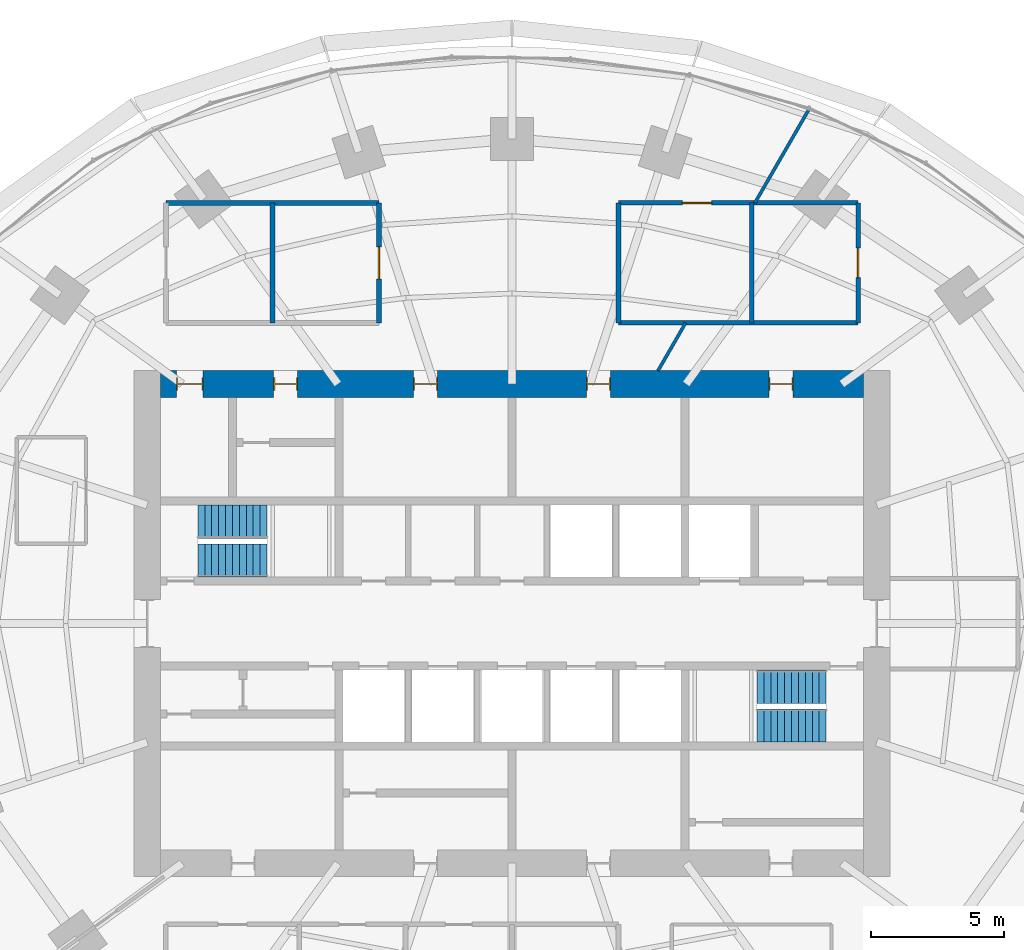
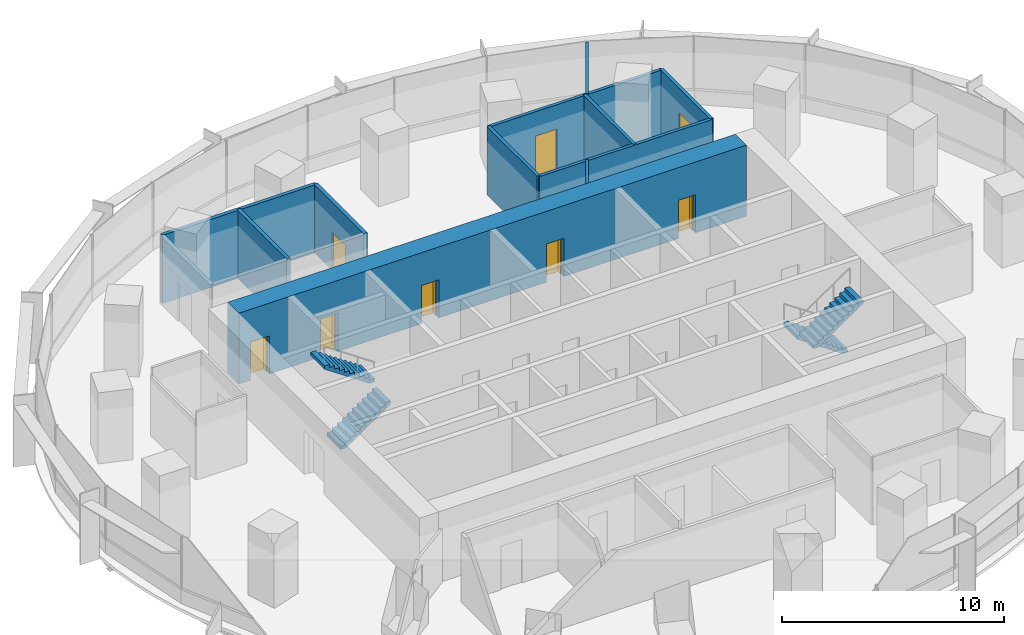
# One storey, part 12 of 14: 11 walls, 8 doors, 4 stair flights, 8 openings, 2 elements without a shape of their own.
"""IFC4 building model written with IfcOpenShell, lengths in metres."""

from ifc_helpers import new_model, si_unit, direction, frame, frame_2d, origin, place, context, subcontext, project, spatial, polyline, rectangle, outline, extrude, material, layer, layer_set, type_object, element, fill, aggregate, save


model = new_model("IFC4")

# Units and contexts
model_context = context("Model", 3, precision=1e-05, world=origin(), true_north=direction((0.0, 1.0)))
body_context = subcontext(model_context, "Body", "Model", "MODEL_VIEW")
ifc_project = project(units=[si_unit("LENGTHUNIT", "METRE"), si_unit("AREAUNIT", "SQUARE_METRE"), si_unit("VOLUMEUNIT", "CUBIC_METRE"), si_unit("PLANEANGLEUNIT", "RADIAN"), si_unit("MASSUNIT", "GRAM", prefix="KILO")], contexts=[model_context])

# Site, building, storey
site_placement = place(None, origin())
site = spatial("IfcSite", under=ifc_project, at=site_placement, CompositionType="ELEMENT")
building_placement = place(site_placement, origin())
building = spatial("IfcBuilding", under=site, at=building_placement, Name="Marramba Exchange Tower", CompositionType="ELEMENT")
storey_placement = place(building_placement, frame((0.0, 0.0, 139.199951171875)))
storey = spatial("IfcBuildingStorey", under=building, at=storey_placement, Name="L33", CompositionType="ELEMENT", Elevation=139.199951171875)

# Wall, opening, door
ifc_material_1 = material(Name="Plasterboard on staggered double steel studs, acoustic insulation", Category="steel")
ifc_layer_1 = layer(ifc_material_1, 0.169921875)
ifc_layer_set_1 = layer_set([ifc_layer_1], Name="Acoustic partition 170")
wall_type_1 = type_object("IfcWallType", Name="Acoustic partition 170", PredefinedType="PARTITIONING", material=ifc_layer_set_1)
wall_1_placement = place(storey_placement, frame((13.0, 11.300048828125, 0.0), z_axis=(0.0, 0.0, 1.0), x_axis=(0.0, 1.0, 0.0)))
wall_1 = element("IfcWall", 1, at=wall_1_placement, inside=storey, type_object=wall_type_1, Name="Acoustic partition L33 16", PredefinedType="PARTITIONING", context=body_context, shape_type="SweptSolid", body=[
    extrude(rectangle(XDim=4.5, YDim=0.169921875, at=frame_2d((2.25, 0.0))), origin(), (0.0, 0.0, 1.0), 3.739990234375),
])
opening_1_placement = place(wall_1_placement, frame((1.699951171875, 0.0, 0.0)))
opening_1 = element("IfcOpeningElement", 2, at=opening_1_placement, cuts=wall_1, Name="Opening D15", PredefinedType="OPENING", context=body_context, shape_type="SweptSolid", body=[
    extrude(rectangle(XDim=1.10009765625, YDim=2.39990234375, at=frame_2d((0.550048828125, 1.199951171875))), frame((0.0, 0.094970703125, 0.0), z_axis=(0.0, -1.0, 0.0), x_axis=(1.0, 0.0, 0.0)), (0.0, 0.0, 1.0), 0.18994140625),
])
ifc_material_2 = material(Name="Timber door", Category="wood")
door_type_1 = type_object("IfcDoorType", Name="Glazed meeting room door 1100x2400", OperationType="SINGLE_SWING_LEFT", PredefinedType="DOOR", material=ifc_material_2)
door_1_placement = place(opening_1_placement, origin())
door_1 = element("IfcDoor", 3, at=door_1_placement, inside=storey, type_object=door_type_1, Name="D15 Meeting Room 2 L33", OperationType="SINGLE_SWING_RIGHT", OverallHeight=2.39990234375, OverallWidth=1.10009765625, PredefinedType="DOOR", context=body_context, shape_type="SweptSolid", body=[
    extrude(rectangle(XDim=1.10009765625, YDim=2.39990234375, at=frame_2d((0.550048828125, 1.199951171875))), frame((0.0, 0.02490234375, 0.0), z_axis=(0.0, -1.0, 0.0), x_axis=(1.0, 0.0, 0.0)), (0.0, 0.0, 1.0), 0.050048828125),
])
fill(opening_1, door_1)

# Walls
wall_2_placement = place(storey_placement, frame((4.0, 11.300048828125, 0.0), z_axis=(0.0, 0.0, 1.0), x_axis=(1.0, 0.0, 0.0)))
element("IfcWall", 4, at=wall_2_placement, inside=storey, type_object=wall_type_1, Name="Acoustic partition L33 17", PredefinedType="PARTITIONING", context=body_context, shape_type="SweptSolid", body=[
    extrude(rectangle(XDim=9.0, YDim=0.169921875, at=frame_2d((4.5, 0.0))), origin(), (0.0, 0.0, 1.0), 3.739990234375),
])
wall_3_placement = place(storey_placement, frame((9.0, 15.800048828125, 0.0), z_axis=(0.0, 0.0, 1.0), x_axis=(0.0, -1.0, 0.0)))
element("IfcWall", 5, at=wall_3_placement, inside=storey, type_object=wall_type_1, Name="Acoustic partition L33 18", PredefinedType="PARTITIONING", context=body_context, shape_type="SweptSolid", body=[
    extrude(rectangle(XDim=4.5, YDim=0.169921875, at=frame_2d((2.25, 0.0))), origin(), (0.0, 0.0, 1.0), 3.739990234375),
])

# Wall, opening, door
wall_4_placement = place(storey_placement, frame((13.0, 15.800048828125, 0.0), z_axis=(0.0, 0.0, 1.0), x_axis=(-1.0, 0.0, 0.0)))
wall_4 = element("IfcWall", 6, at=wall_4_placement, inside=storey, type_object=wall_type_1, Name="Acoustic partition L33 21", PredefinedType="PARTITIONING", context=body_context, shape_type="SweptSolid", body=[
    extrude(rectangle(XDim=9.0, YDim=0.169921875, at=frame_2d((4.5, 0.0))), origin(), (0.0, 0.0, 1.0), 3.739990234375),
])
opening_2_placement = place(wall_4_placement, frame((5.5, 0.0, 0.0)))
opening_2 = element("IfcOpeningElement", 7, at=opening_2_placement, cuts=wall_4, Name="Opening D15", PredefinedType="OPENING", context=body_context, shape_type="SweptSolid", body=[
    extrude(rectangle(XDim=1.10009765625, YDim=2.39990234375, at=frame_2d((0.550048828125, 1.199951171875))), frame((0.0, 0.094970703125, 0.0), z_axis=(0.0, -1.0, 0.0), x_axis=(1.0, 0.0, 0.0)), (0.0, 0.0, 1.0), 0.18994140625),
])
door_2_placement = place(opening_2_placement, origin())
door_2 = element("IfcDoor", 8, at=door_2_placement, inside=storey, type_object=door_type_1, Name="D15 Meeting Room 1 L33", OperationType="SINGLE_SWING_LEFT", OverallHeight=2.39990234375, OverallWidth=1.10009765625, PredefinedType="DOOR", context=body_context, shape_type="SweptSolid", body=[
    extrude(rectangle(XDim=1.10009765625, YDim=2.39990234375, at=frame_2d((0.550048828125, 1.199951171875))), frame((0.0, 0.02490234375, 0.0), z_axis=(0.0, -1.0, 0.0), x_axis=(1.0, 0.0, 0.0)), (0.0, 0.0, 1.0), 0.050048828125),
])
fill(opening_2, door_2)

# Wall
wall_5_placement = place(storey_placement, frame((4.0, 15.800048828125, 0.0), z_axis=(0.0, 0.0, 1.0), x_axis=(0.0, -1.0, 0.0)))
element("IfcWall", 9, at=wall_5_placement, inside=storey, type_object=wall_type_1, Name="Acoustic partition L33 22", PredefinedType="PARTITIONING", context=body_context, shape_type="SweptSolid", body=[
    extrude(rectangle(XDim=4.5, YDim=0.169921875, at=frame_2d((2.25, 0.0))), origin(), (0.0, 0.0, 1.0), 3.739990234375),
])

# Wall, openings, doors
ifc_material_3 = material(Name="Concrete N50", Category="concrete")
ifc_layer_2 = layer(ifc_material_3, 1.0)
ifc_layer_set_2 = layer_set([ifc_layer_2], Name="Core wall 1000")
wall_type_2 = type_object("IfcWallType", Name="Core wall 1000", PredefinedType="SHEAR", material=ifc_layer_set_2)
wall_6_placement = place(storey_placement, frame((13.199951171875, 9.0, 0.0), z_axis=(0.0, 0.0, 1.0), x_axis=(-1.0, 0.0, 0.0)))
wall_6 = element("IfcWall", 10, at=wall_6_placement, inside=storey, type_object=wall_type_2, Name="Core wall N L33", PredefinedType="SHEAR", context=body_context, shape_type="SweptSolid", body=[
    extrude(rectangle(XDim=26.39990234375, YDim=1.0, at=frame_2d((13.199951171875, 0.0))), origin(), (0.0, 0.0, 1.0), 3.900146484375),
])
opening_3_placement = place(wall_6_placement, frame((2.64990234375, 0.0, 0.0)))
opening_3 = element("IfcOpeningElement", 11, at=opening_3_placement, cuts=wall_6, Name="Opening D5", PredefinedType="OPENING", context=body_context, shape_type="SweptSolid", body=[
    extrude(rectangle(XDim=0.89990234375, YDim=2.10009765625, at=frame_2d((0.449951171875, 1.050048828125))), frame((0.0, 0.510009765625, 0.0), z_axis=(0.0, -1.0, 0.0), x_axis=(1.0, 0.0, 0.0)), (0.0, 0.0, 1.0), 1.02001953125),
])
opening_4_placement = place(wall_6_placement, frame((9.5, 0.0, 0.0)))
opening_4 = element("IfcOpeningElement", 12, at=opening_4_placement, cuts=wall_6, Name="Opening D3", PredefinedType="OPENING", context=body_context, shape_type="SweptSolid", body=[
    extrude(rectangle(XDim=0.89990234375, YDim=2.10009765625, at=frame_2d((0.449951171875, 1.050048828125))), frame((0.0, 0.510009765625, 0.0), z_axis=(0.0, -1.0, 0.0), x_axis=(1.0, 0.0, 0.0)), (0.0, 0.0, 1.0), 1.02001953125),
])
opening_5_placement = place(wall_6_placement, frame((16.0, 0.0, 0.0)))
opening_5 = element("IfcOpeningElement", 13, at=opening_5_placement, cuts=wall_6, Name="Opening D3", PredefinedType="OPENING", context=body_context, shape_type="SweptSolid", body=[
    extrude(rectangle(XDim=0.89990234375, YDim=2.10009765625, at=frame_2d((0.449951171875, 1.050048828125))), frame((0.0, 0.510009765625, 0.0), z_axis=(0.0, -1.0, 0.0), x_axis=(1.0, 0.0, 0.0)), (0.0, 0.0, 1.0), 1.02001953125),
])
opening_6_placement = place(wall_6_placement, frame((21.25, 0.0, 0.0)))
opening_6 = element("IfcOpeningElement", 14, at=opening_6_placement, cuts=wall_6, Name="Opening D5", PredefinedType="OPENING", context=body_context, shape_type="SweptSolid", body=[
    extrude(rectangle(XDim=0.89990234375, YDim=2.10009765625, at=frame_2d((0.449951171875, 1.050048828125))), frame((0.0, 0.510009765625, 0.0), z_axis=(0.0, -1.0, 0.0), x_axis=(1.0, 0.0, 0.0)), (0.0, 0.0, 1.0), 1.02001953125),
])
opening_7_placement = place(wall_6_placement, frame((24.800048828125, 0.0, 0.0)))
opening_7 = element("IfcOpeningElement", 15, at=opening_7_placement, cuts=wall_6, Name="Opening D4", PredefinedType="OPENING", context=body_context, shape_type="SweptSolid", body=[
    extrude(rectangle(XDim=1.0, YDim=2.10009765625, at=frame_2d((0.5, 1.050048828125))), frame((0.0, 0.510009765625, 0.0), z_axis=(0.0, -1.0, 0.0), x_axis=(1.0, 0.0, 0.0)), (0.0, 0.0, 1.0), 1.02001953125),
])
ifc_material_4 = material(Name="Steel-framed door", Category="steel")
door_type_2 = type_object("IfcDoorType", Name="Accessible toilet door 1000x2100", OperationType="SINGLE_SWING_LEFT", PredefinedType="DOOR", material=ifc_material_4)
door_3_placement = place(opening_7_placement, origin())
door_3 = element("IfcDoor", 16, at=door_3_placement, inside=storey, type_object=door_type_2, Name="D4 awc L33", OperationType="SINGLE_SWING_RIGHT", OverallHeight=2.10009765625, OverallWidth=1.0, PredefinedType="DOOR", context=body_context, shape_type="SweptSolid", body=[
    extrude(rectangle(XDim=0.919921875, YDim=2.06005859375, at=frame_2d((0.5, 1.030029296875))), frame((0.0, 0.02490234375, 0.0), z_axis=(0.0, -1.0, 0.0), x_axis=(1.0, 0.0, 0.0)), (0.0, 0.0, 1.0), 0.050048828125),
    extrude(rectangle(XDim=0.04, YDim=2.10009765625, at=frame_2d((0.02001953125, 1.050048828125))), frame((0.0, 0.25, 0.0), z_axis=(0.0, -1.0, 0.0), x_axis=(1.0, 0.0, 0.0)), (0.0, 0.0, 1.0), 0.5),
    extrude(rectangle(XDim=0.04, YDim=2.10009765625, at=frame_2d((0.97998046875, 1.050048828125))), frame((0.0, 0.25, 0.0), z_axis=(0.0, -1.0, 0.0), x_axis=(1.0, 0.0, 0.0)), (0.0, 0.0, 1.0), 0.5),
    extrude(rectangle(XDim=0.919921875, YDim=0.04, at=frame_2d((0.5, 2.080078125))), frame((0.0, 0.25, 0.0), z_axis=(0.0, -1.0, 0.0), x_axis=(1.0, 0.0, 0.0)), (0.0, 0.0, 1.0), 0.5),
])
fill(opening_7, door_3)
door_type_3 = type_object("IfcDoorType", Name="Service door 900x2100", OperationType="SINGLE_SWING_LEFT", PredefinedType="DOOR", material=ifc_material_4)
door_4_placement = place(opening_3_placement, origin())
door_4 = element("IfcDoor", 17, at=door_4_placement, inside=storey, type_object=door_type_3, Name="D5 comms L33", OperationType="SINGLE_SWING_LEFT", OverallHeight=2.10009765625, OverallWidth=0.89990234375, PredefinedType="DOOR", context=body_context, shape_type="SweptSolid", body=[
    extrude(rectangle(XDim=0.81982421875, YDim=2.06005859375, at=frame_2d((0.449951171875, 1.030029296875))), frame((0.0, 0.02490234375, 0.0), z_axis=(0.0, -1.0, 0.0), x_axis=(1.0, 0.0, 0.0)), (0.0, 0.0, 1.0), 0.050048828125),
    extrude(rectangle(XDim=0.04, YDim=2.10009765625, at=frame_2d((0.02001953125, 1.050048828125))), frame((0.0, 0.25, 0.0), z_axis=(0.0, -1.0, 0.0), x_axis=(1.0, 0.0, 0.0)), (0.0, 0.0, 1.0), 0.5),
    extrude(rectangle(XDim=0.04, YDim=2.10009765625, at=frame_2d((0.8798828125, 1.050048828125))), frame((0.0, 0.25, 0.0), z_axis=(0.0, -1.0, 0.0), x_axis=(1.0, 0.0, 0.0)), (0.0, 0.0, 1.0), 0.5),
    extrude(rectangle(XDim=0.81982421875, YDim=0.04, at=frame_2d((0.449951171875, 2.080078125))), frame((0.0, 0.25, 0.0), z_axis=(0.0, -1.0, 0.0), x_axis=(1.0, 0.0, 0.0)), (0.0, 0.0, 1.0), 0.5),
])
fill(opening_3, door_4)
door_5_placement = place(opening_6_placement, origin())
door_5 = element("IfcDoor", 18, at=door_5_placement, inside=storey, type_object=door_type_3, Name="D5 cleaner L33", OperationType="SINGLE_SWING_RIGHT", OverallHeight=2.10009765625, OverallWidth=0.89990234375, PredefinedType="DOOR", context=body_context, shape_type="SweptSolid", body=[
    extrude(rectangle(XDim=0.81982421875, YDim=2.06005859375, at=frame_2d((0.449951171875, 1.030029296875))), frame((0.0, 0.02490234375, 0.0), z_axis=(0.0, -1.0, 0.0), x_axis=(1.0, 0.0, 0.0)), (0.0, 0.0, 1.0), 0.050048828125),
    extrude(rectangle(XDim=0.04, YDim=2.10009765625, at=frame_2d((0.02001953125, 1.050048828125))), frame((0.0, 0.25, 0.0), z_axis=(0.0, -1.0, 0.0), x_axis=(1.0, 0.0, 0.0)), (0.0, 0.0, 1.0), 0.5),
    extrude(rectangle(XDim=0.04, YDim=2.10009765625, at=frame_2d((0.8798828125, 1.050048828125))), frame((0.0, 0.25, 0.0), z_axis=(0.0, -1.0, 0.0), x_axis=(1.0, 0.0, 0.0)), (0.0, 0.0, 1.0), 0.5),
    extrude(rectangle(XDim=0.81982421875, YDim=0.04, at=frame_2d((0.449951171875, 2.080078125))), frame((0.0, 0.25, 0.0), z_axis=(0.0, -1.0, 0.0), x_axis=(1.0, 0.0, 0.0)), (0.0, 0.0, 1.0), 0.5),
])
fill(opening_6, door_5)
door_type_4 = type_object("IfcDoorType", Name="Toilet door 900x2100", OperationType="SINGLE_SWING_LEFT", PredefinedType="DOOR", material=ifc_material_4)
door_6_placement = place(opening_4_placement, origin())
door_6 = element("IfcDoor", 19, at=door_6_placement, inside=storey, type_object=door_type_4, Name="D3 wc-f L33", OperationType="SINGLE_SWING_RIGHT", OverallHeight=2.10009765625, OverallWidth=0.89990234375, PredefinedType="DOOR", context=body_context, shape_type="SweptSolid", body=[
    extrude(rectangle(XDim=0.81982421875, YDim=2.06005859375, at=frame_2d((0.449951171875, 1.030029296875))), frame((0.0, 0.02490234375, 0.0), z_axis=(0.0, -1.0, 0.0), x_axis=(1.0, 0.0, 0.0)), (0.0, 0.0, 1.0), 0.050048828125),
    extrude(rectangle(XDim=0.04, YDim=2.10009765625, at=frame_2d((0.02001953125, 1.050048828125))), frame((0.0, 0.25, 0.0), z_axis=(0.0, -1.0, 0.0), x_axis=(1.0, 0.0, 0.0)), (0.0, 0.0, 1.0), 0.5),
    extrude(rectangle(XDim=0.04, YDim=2.10009765625, at=frame_2d((0.8798828125, 1.050048828125))), frame((0.0, 0.25, 0.0), z_axis=(0.0, -1.0, 0.0), x_axis=(1.0, 0.0, 0.0)), (0.0, 0.0, 1.0), 0.5),
    extrude(rectangle(XDim=0.81982421875, YDim=0.04, at=frame_2d((0.449951171875, 2.080078125))), frame((0.0, 0.25, 0.0), z_axis=(0.0, -1.0, 0.0), x_axis=(1.0, 0.0, 0.0)), (0.0, 0.0, 1.0), 0.5),
])
fill(opening_4, door_6)
door_7_placement = place(opening_5_placement, origin())
door_7 = element("IfcDoor", 20, at=door_7_placement, inside=storey, type_object=door_type_4, Name="D3 wc-m L33", OperationType="SINGLE_SWING_RIGHT", OverallHeight=2.10009765625, OverallWidth=0.89990234375, PredefinedType="DOOR", context=body_context, shape_type="SweptSolid", body=[
    extrude(rectangle(XDim=0.81982421875, YDim=2.06005859375, at=frame_2d((0.449951171875, 1.030029296875))), frame((0.0, 0.02490234375, 0.0), z_axis=(0.0, -1.0, 0.0), x_axis=(1.0, 0.0, 0.0)), (0.0, 0.0, 1.0), 0.050048828125),
    extrude(rectangle(XDim=0.04, YDim=2.10009765625, at=frame_2d((0.02001953125, 1.050048828125))), frame((0.0, 0.25, 0.0), z_axis=(0.0, -1.0, 0.0), x_axis=(1.0, 0.0, 0.0)), (0.0, 0.0, 1.0), 0.5),
    extrude(rectangle(XDim=0.04, YDim=2.10009765625, at=frame_2d((0.8798828125, 1.050048828125))), frame((0.0, 0.25, 0.0), z_axis=(0.0, -1.0, 0.0), x_axis=(1.0, 0.0, 0.0)), (0.0, 0.0, 1.0), 0.5),
    extrude(rectangle(XDim=0.81982421875, YDim=0.04, at=frame_2d((0.449951171875, 2.080078125))), frame((0.0, 0.25, 0.0), z_axis=(0.0, -1.0, 0.0), x_axis=(1.0, 0.0, 0.0)), (0.0, 0.0, 1.0), 0.5),
])
fill(opening_5, door_7)

# Wall, opening, door
ifc_material_5 = material(Name="Core-filled concrete blockwork, rendered", Category="masonry")
ifc_layer_3 = layer(ifc_material_5, 0.18994140625)
ifc_layer_set_3 = layer_set([ifc_layer_3], Name="Equipment room wall 190")
wall_type_3 = type_object("IfcWallType", Name="Equipment room wall 190", PredefinedType="SOLIDWALL", material=ifc_layer_set_3)
wall_7_placement = place(storey_placement, frame((-5.0, 15.800048828125, 0.0), z_axis=(0.0, 0.0, 1.0), x_axis=(0.0, -1.0, 0.0)))
wall_7 = element("IfcWall", 21, at=wall_7_placement, inside=storey, type_object=wall_type_3, Name="Equipment room wall L33 23", PredefinedType="SOLIDWALL", context=body_context, shape_type="SweptSolid", body=[
    extrude(rectangle(XDim=4.5, YDim=0.18994140625, at=frame_2d((2.25, 0.0))), origin(), (0.0, 0.0, 1.0), 3.739990234375),
])
opening_8_placement = place(wall_7_placement, frame((1.64990234375, 0.0, 0.0)))
opening_8 = element("IfcOpeningElement", 22, at=opening_8_placement, cuts=wall_7, Name="Opening D16", PredefinedType="OPENING", context=body_context, shape_type="SweptSolid", body=[
    extrude(rectangle(XDim=1.199951171875, YDim=2.10009765625, at=frame_2d((0.60009765625, 1.050048828125))), frame((0.0, 0.10498046875, 0.0), z_axis=(0.0, -1.0, 0.0), x_axis=(1.0, 0.0, 0.0)), (0.0, 0.0, 1.0), 0.2099609375),
])
door_type_5 = type_object("IfcDoorType", Name="Equipment room door 1200x2100", OperationType="SINGLE_SWING_LEFT", PredefinedType="DOOR", material=ifc_material_4)
door_8_placement = place(opening_8_placement, frame((1.199951171875, 0.0, 0.0), z_axis=(0.0, 0.0, 1.0), x_axis=(-1.0, 0.0, 0.0)))
door_8 = element("IfcDoor", 23, at=door_8_placement, inside=storey, type_object=door_type_5, Name="D16 Data Room 2 L33", OperationType="SINGLE_SWING_RIGHT", OverallHeight=2.10009765625, OverallWidth=1.199951171875, PredefinedType="DOOR", context=body_context, shape_type="SweptSolid", body=[
    extrude(rectangle(XDim=1.199951171875, YDim=2.10009765625, at=frame_2d((0.599853515625, 1.050048828125))), frame((0.0, 0.025146484375, 0.0), z_axis=(0.0, -1.0, 0.0), x_axis=(1.0, 0.0, 0.0)), (0.0, 0.0, 1.0), 0.050048828125),
])
fill(opening_8, door_8)

# Walls
wall_8_placement = place(storey_placement, frame((-13.0, 15.800048828125, 0.0), z_axis=(0.0, 0.0, 1.0), x_axis=(1.0, 0.0, 0.0)))
element("IfcWall", 24, at=wall_8_placement, inside=storey, type_object=wall_type_3, Name="Equipment room wall L33 24", PredefinedType="SOLIDWALL", context=body_context, shape_type="SweptSolid", body=[
    extrude(rectangle(XDim=8.0, YDim=0.18994140625, at=frame_2d((4.0, 0.0))), origin(), (0.0, 0.0, 1.0), 3.739990234375),
])
wall_9_placement = place(storey_placement, frame((-9.0, 15.800048828125, 0.0), z_axis=(0.0, 0.0, 1.0), x_axis=(0.0, -1.0, 0.0)))
element("IfcWall", 25, at=wall_9_placement, inside=storey, type_object=wall_type_3, Name="Equipment room wall L33 25", PredefinedType="SOLIDWALL", context=body_context, shape_type="SweptSolid", body=[
    extrude(rectangle(XDim=4.5, YDim=0.18994140625, at=frame_2d((2.25, 0.0))), origin(), (0.0, 0.0, 1.0), 3.739990234375),
])
ifc_material_6 = material(Name="Plasterboard on steel studs", Category="steel")
ifc_layer_4 = layer(ifc_material_6, 0.1201171875)
ifc_layer_set_4 = layer_set([ifc_layer_4], Name="Partition 120")
wall_type_4 = type_object("IfcWallType", Name="Partition 120", PredefinedType="PARTITIONING", material=ifc_layer_set_4)
wall_10_placement = place(storey_placement, frame((11.13671875, 19.289306640625, 0.0), z_axis=(0.0, 0.0, 1.0), x_axis=(-0.500023174947, -0.866012023309, 0.0)))
element("IfcWall", 26, at=wall_10_placement, inside=storey, type_object=wall_type_4, Name="Partition L33 19", PredefinedType="PARTITIONING", context=body_context, shape_type="SweptSolid", body=[
    extrude(rectangle(XDim=4.029052734375, YDim=0.1201171875, at=frame_2d((2.0146484375, 0.0))), origin(), (0.0, 0.0, 1.0), 3.739990234375),
])
wall_11_placement = place(storey_placement, frame((6.52392578125, 11.300048828125, 0.0), z_axis=(0.0, 0.0, 1.0), x_axis=(-0.499929208183, -0.866066271601, 0.0)))
element("IfcWall", 27, at=wall_11_placement, inside=storey, type_object=wall_type_4, Name="Partition L33 20", PredefinedType="PARTITIONING", context=body_context, shape_type="SweptSolid", body=[
    extrude(rectangle(XDim=2.078369140625, YDim=0.1201171875, at=frame_2d((1.0390625, 0.0))), origin(), (0.0, 0.0, 1.0), 3.739990234375),
])

# Stair, stair flights
ifc_material_7 = material(Name="Concrete N40 (40 MPa)", Category="concrete")
stair_type_1 = type_object("IfcStairType", Name="Exit stair ST1 3900 x 1250", PredefinedType="HALF_TURN_STAIR", material=ifc_material_7)
stair_1_placement = place(storey_placement, origin())
stair_1 = element("IfcStair", 28, at=stair_1_placement, inside=storey, type_object=stair_type_1, Name="Exit stair ST1 L33", PredefinedType="HALF_TURN_STAIR")
stair_flight_type_1 = type_object("IfcStairFlightType", Name="ST1 stair flight 1773 riser 1250 wide", PredefinedType="STRAIGHT", material=ifc_material_7)
stair_flight_1_placement = place(storey_placement, frame((-11.800048828125, 2.375, 0.0), z_axis=(0.0, 0.0, 1.0), x_axis=(1.0, 0.0, 0.0)))
stair_flight_1 = element("IfcStairFlight", 29, at=stair_flight_1_placement, type_object=stair_flight_type_1, Name="ST1 flight 1", NumberOfRisers=11, NumberOfTreads=10, PredefinedType="STRAIGHT", RiserHeight=0.177272727, TreadLength=0.26, context=body_context, shape_type="SweptSolid", body=[
    extrude(outline(polyline([(0.0, 0.0), (0.0, 0.17724609375), (0.260009765625, 0.17724609375), (0.260009765625, 0.3544921875), (0.52001953125, 0.3544921875), (0.52001953125, 0.53173828125), (0.780029296875, 0.53173828125), (0.780029296875, 0.708984375), (1.0400390625, 0.708984375), (1.0400390625, 0.886474609375), (1.300048828125, 0.886474609375), (1.300048828125, 1.063720703125), (1.56005859375, 1.063720703125), (1.56005859375, 1.240966796875), (1.820068359375, 1.240966796875), (1.820068359375, 1.418212890625), (2.080078125, 1.418212890625), (2.080078125, 1.595458984375), (2.340087890625, 1.595458984375), (2.340087890625, 1.772705078125), (2.60009765625, 1.772705078125), (2.60009765625, 1.949951171875), (2.60009765625, 1.59130859375), (0.26611328125, 0.0), (0.0, 0.0)])), frame((0.0, 0.625, 0.0), z_axis=(0.0, -1.0, 0.0), x_axis=(1.0, 0.0, 0.0)), (0.0, 0.0, 1.0), 1.25),
])
stair_flight_2_placement = place(storey_placement, frame((-9.199951171875, 3.824951171875, 1.949951171875), z_axis=(0.0, 0.0, 1.0), x_axis=(-1.0, 0.0, 0.0)))
stair_flight_2 = element("IfcStairFlight", 30, at=stair_flight_2_placement, type_object=stair_flight_type_1, Name="ST1 flight 2", NumberOfRisers=11, NumberOfTreads=10, PredefinedType="STRAIGHT", RiserHeight=0.177272727, TreadLength=0.26, context=body_context, shape_type="SweptSolid", body=[
    extrude(outline(polyline([(0.0, 0.0), (0.0, 0.17724609375), (0.260009765625, 0.17724609375), (0.260009765625, 0.3544921875), (0.52001953125, 0.3544921875), (0.52001953125, 0.53173828125), (0.780029296875, 0.53173828125), (0.780029296875, 0.708984375), (1.0400390625, 0.708984375), (1.0400390625, 0.886474609375), (1.300048828125, 0.886474609375), (1.300048828125, 1.063720703125), (1.56005859375, 1.063720703125), (1.56005859375, 1.240966796875), (1.820068359375, 1.240966796875), (1.820068359375, 1.418212890625), (2.080078125, 1.418212890625), (2.080078125, 1.595458984375), (2.340087890625, 1.595458984375), (2.340087890625, 1.772705078125), (2.60009765625, 1.772705078125), (2.60009765625, 1.949951171875), (2.60009765625, 1.59130859375), (0.26611328125, 0.0), (0.0, 0.0)])), frame((0.0, 0.625, 0.0), z_axis=(0.0, -1.0, 0.0), x_axis=(1.0, 0.0, 0.0)), (0.0, 0.0, 1.0), 1.25),
])
aggregate(stair_1, [stair_flight_1, stair_flight_2])

stair_type_2 = type_object("IfcStairType", Name="Exit stair ST2 3900 x 1250", PredefinedType="HALF_TURN_STAIR", material=ifc_material_7)
stair_2_placement = place(storey_placement, origin())
stair_2 = element("IfcStair", 31, at=stair_2_placement, inside=storey, type_object=stair_type_2, Name="Exit stair ST2 L33", PredefinedType="HALF_TURN_STAIR")
stair_flight_type_2 = type_object("IfcStairFlightType", Name="ST2 stair flight 1773 riser 1250 wide", PredefinedType="STRAIGHT", material=ifc_material_7)
stair_flight_3_placement = place(storey_placement, frame((11.800048828125, -2.375, 0.0), z_axis=(0.0, 0.0, 1.0), x_axis=(-1.0, 0.0, 0.0)))
stair_flight_3 = element("IfcStairFlight", 32, at=stair_flight_3_placement, type_object=stair_flight_type_2, Name="ST2 flight 1", NumberOfRisers=11, NumberOfTreads=10, PredefinedType="STRAIGHT", RiserHeight=0.177272727, TreadLength=0.26, context=body_context, shape_type="SweptSolid", body=[
    extrude(outline(polyline([(0.0, 0.0), (0.0, 0.17724609375), (0.260009765625, 0.17724609375), (0.260009765625, 0.3544921875), (0.52001953125, 0.3544921875), (0.52001953125, 0.53173828125), (0.780029296875, 0.53173828125), (0.780029296875, 0.708984375), (1.0400390625, 0.708984375), (1.0400390625, 0.886474609375), (1.300048828125, 0.886474609375), (1.300048828125, 1.063720703125), (1.56005859375, 1.063720703125), (1.56005859375, 1.240966796875), (1.820068359375, 1.240966796875), (1.820068359375, 1.418212890625), (2.080078125, 1.418212890625), (2.080078125, 1.595458984375), (2.340087890625, 1.595458984375), (2.340087890625, 1.772705078125), (2.60009765625, 1.772705078125), (2.60009765625, 1.949951171875), (2.60009765625, 1.59130859375), (0.26611328125, 0.0), (0.0, 0.0)])), frame((0.0, 0.625, 0.0), z_axis=(0.0, -1.0, 0.0), x_axis=(1.0, 0.0, 0.0)), (0.0, 0.0, 1.0), 1.25),
])
stair_flight_4_placement = place(storey_placement, frame((9.199951171875, -3.824951171875, 1.949951171875), z_axis=(0.0, 0.0, 1.0), x_axis=(1.0, 0.0, 0.0)))
stair_flight_4 = element("IfcStairFlight", 33, at=stair_flight_4_placement, type_object=stair_flight_type_2, Name="ST2 flight 2", NumberOfRisers=11, NumberOfTreads=10, PredefinedType="STRAIGHT", RiserHeight=0.177272727, TreadLength=0.26, context=body_context, shape_type="SweptSolid", body=[
    extrude(outline(polyline([(0.0, 0.0), (0.0, 0.17724609375), (0.260009765625, 0.17724609375), (0.260009765625, 0.3544921875), (0.52001953125, 0.3544921875), (0.52001953125, 0.53173828125), (0.780029296875, 0.53173828125), (0.780029296875, 0.708984375), (1.0400390625, 0.708984375), (1.0400390625, 0.886474609375), (1.300048828125, 0.886474609375), (1.300048828125, 1.063720703125), (1.56005859375, 1.063720703125), (1.56005859375, 1.240966796875), (1.820068359375, 1.240966796875), (1.820068359375, 1.418212890625), (2.080078125, 1.418212890625), (2.080078125, 1.595458984375), (2.340087890625, 1.595458984375), (2.340087890625, 1.772705078125), (2.60009765625, 1.772705078125), (2.60009765625, 1.949951171875), (2.60009765625, 1.59130859375), (0.26611328125, 0.0), (0.0, 0.0)])), frame((0.0, 0.625, 0.0), z_axis=(0.0, -1.0, 0.0), x_axis=(1.0, 0.0, 0.0)), (0.0, 0.0, 1.0), 1.25),
])
aggregate(stair_2, [stair_flight_3, stair_flight_4])

save(model, "model.ifc")
